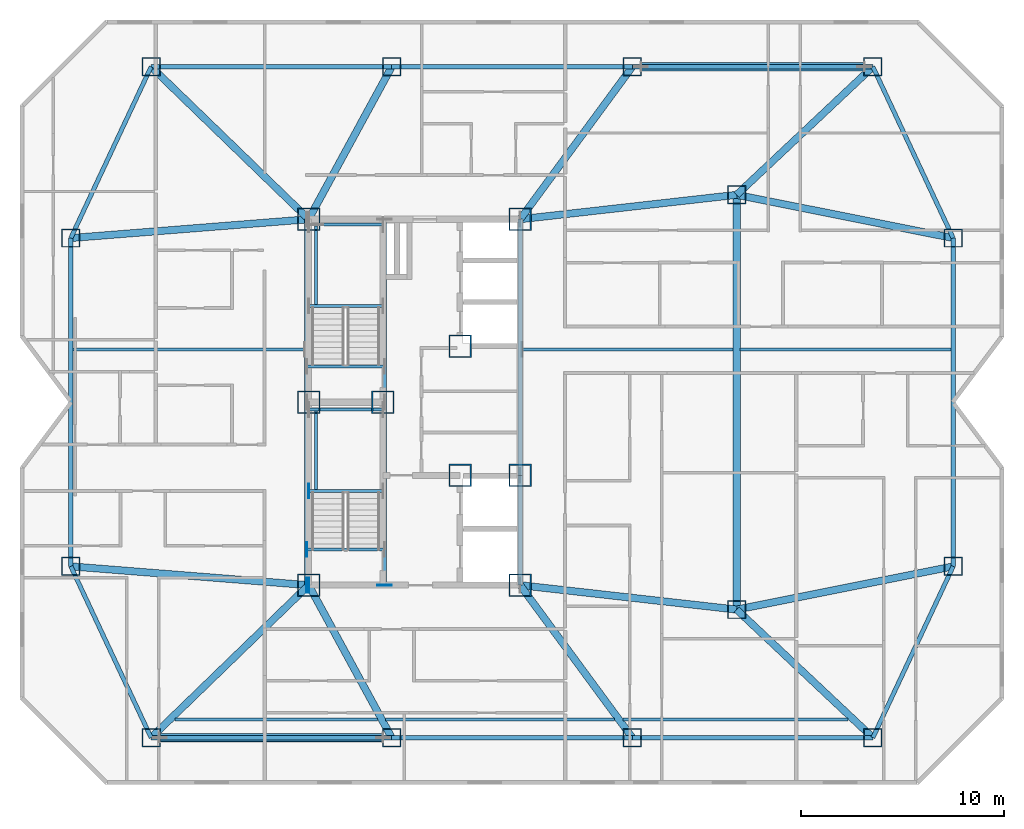
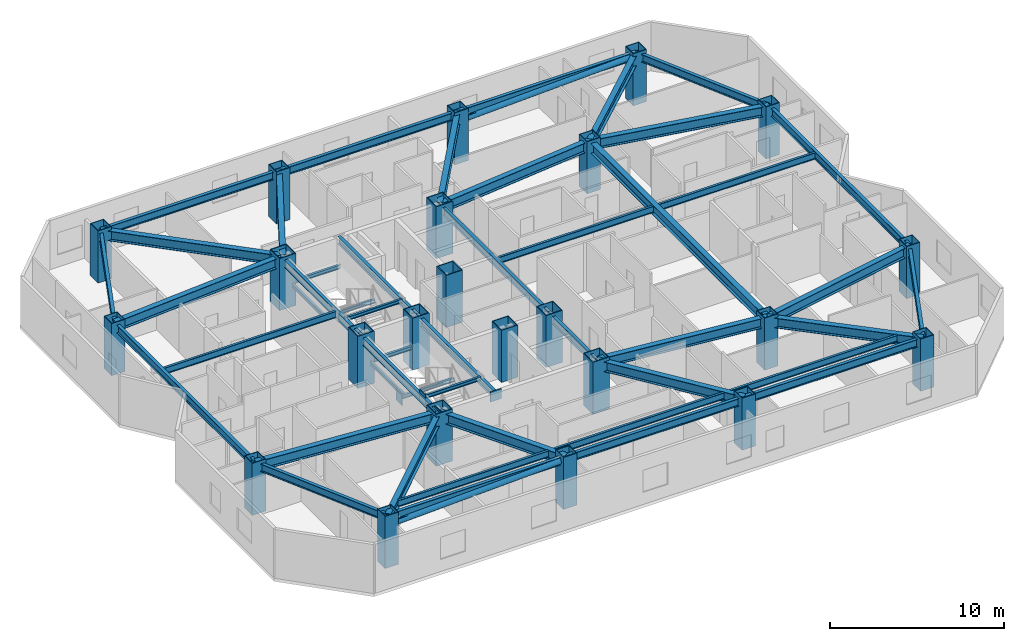
# One storey, part 1 of 11: 47 beams, 23 columns, 5 plates, 2 members.
"""IFC4 building model written with IfcOpenShell, lengths in metres."""

from ifc_helpers import new_model, si_unit, direction, frame, origin, origin_2d, place, context, subcontext, project, spatial, rectangle, hollow_rectangle, hollow_circle, i_section, extrude, material, layer, layer_set, material_profile, profile_set, type_object, element, save


model = new_model("IFC4")

# Units and contexts
model_context = context("Model", 3, precision=1e-05, world=origin(), true_north=direction((0.0, 1.0)))
body_context = subcontext(model_context, "Body", "Model", "MODEL_VIEW")
ifc_project = project(units=[si_unit("LENGTHUNIT", "METRE"), si_unit("AREAUNIT", "SQUARE_METRE"), si_unit("VOLUMEUNIT", "CUBIC_METRE"), si_unit("PLANEANGLEUNIT", "RADIAN"), si_unit("MASSUNIT", "GRAM", prefix="KILO")], contexts=[model_context])

# Site, building, storey
site_placement = place(None, origin())
site = spatial("IfcSite", under=ifc_project, at=site_placement, CompositionType="ELEMENT")
building_placement = place(site_placement, origin())
building = spatial("IfcBuilding", under=site, at=building_placement, Name="Khamvora Tower", CompositionType="ELEMENT")
storey_placement = place(building_placement, frame((0.0, 0.0, 174.14990234375)))
storey = spatial("IfcBuildingStorey", under=building, at=storey_placement, Name="L44", CompositionType="ELEMENT", Elevation=174.14990234375)

# Columns
ifc_material_1 = material(Name="Steel S460", Category="steel")
ifc_material_profile_1 = material_profile(ifc_material_1, hollow_rectangle(XDim=1.10009765625, YDim=1.10009765625, WallThickness=0.054931640625, at=origin_2d()), Name="BOX1100x1100x55")
ifc_profile_set_1 = profile_set([ifc_material_profile_1], Name="Steel S460")
column_type_1 = type_object("IfcColumnType", Name="COL-BOX1100", PredefinedType="COLUMN", material=ifc_profile_set_1)
for number, where, z_axis, x_axis, name in (
    (1, (29.0, 19.0, 0.0), (0.0, 0.0, 1.0), (1.0, 0.0, 0.0), "L44 plumb core spine column SC1"),
    (2, (32.64990234375, 28.0, 0.0), (0.0, 0.0, 1.0), (1.0, 0.0, 0.0), "L44 plumb core spine column SC2"),
    (3, (39.39990234375, 19.0, 0.0), (0.0, 0.0, 1.0), (1.0, 0.0, 0.0), "L44 plumb core spine column SC3"),
    (4, (29.0, 28.0, 0.0), (0.0, 0.0, 1.0), (1.0, 0.0, 0.0), "L44 plumb core spine column SC4"),
    (5, (36.449951171875, 24.39990234375, 0.0), (0.0, 0.0, 1.0), (1.0, 0.0, 0.0), "L44 plumb core spine column SC5"),
    (6, (39.39990234375, 24.39990234375, 0.0), (0.0, 0.0, 1.0), (1.0, 0.0, 0.0), "L44 plumb core spine column SC6"),
    (7, (29.0, 37.0, 0.0), (0.0, 0.0, 1.0), (1.0, 0.0, 0.0), "L44 plumb core spine column SC7"),
    (8, (36.449951171875, 30.75, 0.0), (0.0, 0.0, 1.0), (1.0, 0.0, 0.0), "L44 plumb core spine column SC8"),
    (9, (39.39990234375, 37.0, 0.0), (0.0, 0.0, 1.0), (1.0, 0.0, 0.0), "L44 plumb core spine column SC9"),
):
    element("IfcColumn", number, at=place(storey_placement, frame(where, z_axis=z_axis, x_axis=x_axis)), inside=storey, type_object=column_type_1, Name=name, PredefinedType="COLUMN", context=body_context, shape_type="SweptSolid", body=[
        extrude(hollow_rectangle(XDim=1.10009765625, YDim=1.10009765625, WallThickness=0.054931640625, at=origin_2d()), origin(), (0.0, 0.0, 1.0), 3.650146484375),
    ])
ifc_material_2 = material(Name="Steel S355", Category="steel")
ifc_material_profile_2 = material_profile(ifc_material_2, hollow_rectangle(XDim=0.89990234375, YDim=0.89990234375, WallThickness=0.044921875, at=origin_2d()), Name="BOX900x900x45")
ifc_profile_set_2 = profile_set([ifc_material_profile_2], Name="Steel S355")
column_type_2 = type_object("IfcColumnType", Name="COL-BOX900", PredefinedType="COLUMN", material=ifc_profile_set_2)
for number, where, z_axis, x_axis, name in (
    (10, (21.25, 11.5, 0.0), (0.0, 0.0, 1.0), (1.0, 0.0, 0.0), "L44 structural frame column S1"),
    (11, (33.0830078125, 11.5, 0.0), (0.0, 0.0, 1.0), (1.0, 0.0, 0.0), "L44 structural frame column S2"),
    (12, (44.9169921875, 11.5, 0.0), (0.0, 0.0, 1.0), (1.0, 0.0, 0.0), "L44 structural frame column S3"),
    (13, (56.75, 11.5, 0.0), (0.0, 0.0, 1.0), (1.0, 0.0, 0.0), "L44 structural frame column S4"),
    (14, (21.25, 44.5, 0.0), (0.0, 0.0, 1.0), (1.0, 0.0, 0.0), "L44 structural frame column N1"),
    (15, (33.0830078125, 44.5, 0.0), (0.0, 0.0, 1.0), (1.0, 0.0, 0.0), "L44 structural frame column N2"),
    (16, (44.9169921875, 44.5, 0.0), (0.0, 0.0, 1.0), (1.0, 0.0, 0.0), "L44 structural frame column N3"),
    (17, (56.75, 44.5, 0.0), (0.0, 0.0, 1.0), (1.0, 0.0, 0.0), "L44 structural frame column N4"),
    (18, (17.300048828125, 19.925048828125, 0.0), (0.0, 0.0, 1.0), (1.0, 0.0, 0.0), "L44 structural frame column W1"),
    (19, (17.300048828125, 36.074951171875, 0.0), (0.0, 0.0, 1.0), (1.0, 0.0, 0.0), "L44 structural frame column W2"),
    (20, (60.699951171875, 19.925048828125, 0.0), (0.0, 0.0, 1.0), (1.0, 0.0, 0.0), "L44 structural frame column E1"),
    (21, (60.699951171875, 36.074951171875, 0.0), (0.0, 0.0, 1.0), (1.0, 0.0, 0.0), "L44 structural frame column E2"),
    (22, (50.050048828125, 17.800048828125, 0.0), (0.0, 0.0, 1.0), (1.0, 0.0, 0.0), "L44 structural frame column M1"),
    (23, (50.050048828125, 38.199951171875, 0.0), (0.0, 0.0, 1.0), (1.0, 0.0, 0.0), "L44 structural frame column M2"),
):
    element("IfcColumn", number, at=place(storey_placement, frame(where, z_axis=z_axis, x_axis=x_axis)), inside=storey, type_object=column_type_2, Name=name, PredefinedType="COLUMN", context=body_context, shape_type="SweptSolid", body=[
        extrude(hollow_rectangle(XDim=0.89990234375, YDim=0.89990234375, WallThickness=0.044921875, at=origin_2d()), origin(), (0.0, 0.0, 1.0), 3.650146484375),
    ])

# Beams
ifc_material_profile_3 = material_profile(ifc_material_2, i_section(OverallWidth=0.154052734375, OverallDepth=0.458984375, WebThickness=0.009033203125, FlangeThickness=0.014892578125, FilletRadius=0.011962890625, at=origin_2d()), Name="W460x68")
ifc_profile_set_3 = profile_set([ifc_material_profile_3], Name="Steel S355")
beam_type_1 = type_object("IfcBeamType", Name="BM-JS-W460x68", PredefinedType="JOIST", material=ifc_profile_set_3)
beam_1_placement = place(storey_placement, frame((22.429931640625, 12.39990234375, 3.201171875), z_axis=(1.0, 0.0, 0.0), x_axis=(0.0, 1.0, 0.0)))
element("IfcBeam", 24, at=beam_1_placement, inside=storey, type_object=beam_type_1, Name="L44 secondary floor joist 01", PredefinedType="JOIST", context=body_context, shape_type="SweptSolid", body=[
    extrude(i_section(OverallWidth=0.154052734375, OverallDepth=0.458984375, WebThickness=0.009033203125, FlangeThickness=0.014892578125, FilletRadius=0.011962890625, at=origin_2d()), origin(), (0.0, 0.0, 1.0), 9.966064453125),
])
beam_2_placement = place(storey_placement, frame((32.7900390625, 12.39990234375, 3.201171875), z_axis=(1.0, 0.0, 0.0), x_axis=(0.0, 1.0, 0.0)))
element("IfcBeam", 25, at=beam_2_placement, inside=storey, type_object=beam_type_1, Name="L44 secondary floor joist 02", PredefinedType="JOIST", context=body_context, shape_type="SweptSolid", body=[
    extrude(i_section(OverallWidth=0.154052734375, OverallDepth=0.458984375, WebThickness=0.009033203125, FlangeThickness=0.014892578125, FilletRadius=0.011962890625, at=origin_2d()), origin(), (0.0, 0.0, 1.0), 11.25),
])
beam_3_placement = place(storey_placement, frame((44.469970703125, 12.39990234375, 3.201171875), z_axis=(1.0, 0.0, 0.0), x_axis=(0.0, 1.0, 0.0)))
element("IfcBeam", 26, at=beam_3_placement, inside=storey, type_object=beam_type_1, Name="L44 secondary floor joist 03", PredefinedType="JOIST", context=body_context, shape_type="SweptSolid", body=[
    extrude(i_section(OverallWidth=0.154052734375, OverallDepth=0.458984375, WebThickness=0.009033203125, FlangeThickness=0.014892578125, FilletRadius=0.011962890625, at=origin_2d()), origin(), (0.0, 0.0, 1.0), 11.069091796875),
])
beam_4_placement = place(storey_placement, frame((17.40087890625, 30.60009765625, 3.201171875), z_axis=(1.0, 0.0, 0.0), x_axis=(0.0, 1.0, 0.0)))
element("IfcBeam", 27, at=beam_4_placement, inside=storey, type_object=beam_type_1, Name="L44 secondary floor joist 04", PredefinedType="JOIST", context=body_context, shape_type="SweptSolid", body=[
    extrude(i_section(OverallWidth=0.154052734375, OverallDepth=0.458984375, WebThickness=0.009033203125, FlangeThickness=0.014892578125, FilletRadius=0.011962890625, at=origin_2d()), origin(), (0.0, 0.0, 1.0), 11.399169921875),
])
beam_5_placement = place(storey_placement, frame((39.4990234375, 30.60009765625, 3.201171875), z_axis=(1.0, 0.0, 0.0), x_axis=(0.0, 1.0, 0.0)))
element("IfcBeam", 28, at=beam_5_placement, inside=storey, type_object=beam_type_1, Name="L44 secondary floor joist 05", PredefinedType="JOIST", context=body_context, shape_type="SweptSolid", body=[
    extrude(i_section(OverallWidth=0.154052734375, OverallDepth=0.458984375, WebThickness=0.009033203125, FlangeThickness=0.014892578125, FilletRadius=0.011962890625, at=origin_2d()), origin(), (0.0, 0.0, 1.0), 10.3779296875),
])
beam_6_placement = place(storey_placement, frame((50.221923828125, 30.60009765625, 3.201171875), z_axis=(1.0, 0.0, 0.0), x_axis=(0.0, 1.0, 0.0)))
element("IfcBeam", 29, at=beam_6_placement, inside=storey, type_object=beam_type_1, Name="L44 secondary floor joist 06", PredefinedType="JOIST", context=body_context, shape_type="SweptSolid", body=[
    extrude(i_section(OverallWidth=0.154052734375, OverallDepth=0.458984375, WebThickness=0.009033203125, FlangeThickness=0.014892578125, FilletRadius=0.011962890625, at=origin_2d()), origin(), (0.0, 0.0, 1.0), 10.377197265625),
])
ifc_material_profile_4 = material_profile(ifc_material_2, i_section(OverallWidth=0.14697265625, OverallDepth=0.261962890625, WebThickness=0.007080078125, FlangeThickness=0.010986328125, FilletRadius=0.008056640625, at=origin_2d()), Name="W250x39")
ifc_profile_set_4 = profile_set([ifc_material_profile_4], Name="Steel S355")
beam_type_2 = type_object("IfcBeamType", Name="BM-LN-W250x39", PredefinedType="LINTEL", material=ifc_profile_set_4)
for number, where, z_axis, x_axis, name in (
    (30, (29.0, 23.635009765625, 1.494140625), (1.0, 0.0, 0.0), (0.0, 1.0, 0.0), "L44 ST-01 half-landing support beam 1.1"),
    (31, (29.0, 27.6298828125, 1.494140625), (1.0, 0.0, 0.0), (0.0, 1.0, 0.0), "L44 ST-01 half-landing support beam 1.2"),
):
    element("IfcBeam", number, at=place(storey_placement, frame(where, z_axis=z_axis, x_axis=x_axis)), inside=storey, type_object=beam_type_2, Name=name, PredefinedType="LINTEL", context=body_context, shape_type="SweptSolid", body=[
        extrude(i_section(OverallWidth=0.14697265625, OverallDepth=0.261962890625, WebThickness=0.007080078125, FlangeThickness=0.010986328125, FilletRadius=0.008056640625, at=origin_2d()), origin(), (0.0, 0.0, 1.0), 3.64990234375),
    ])
beam_7_placement = place(storey_placement, frame((29.35009765625, 23.635009765625, 1.494140625), z_axis=(0.0, 1.0, 0.0), x_axis=(-1.0, 0.0, 0.0)))
element("IfcBeam", 32, at=beam_7_placement, inside=storey, type_object=beam_type_2, Name="L44 ST-01 half-landing edge stringer 1", PredefinedType="LINTEL", context=body_context, shape_type="SweptSolid", body=[
    extrude(i_section(OverallWidth=0.14697265625, OverallDepth=0.261962890625, WebThickness=0.007080078125, FlangeThickness=0.010986328125, FilletRadius=0.008056640625, at=origin_2d()), origin(), (0.0, 0.0, 1.0), 3.994873046875),
])
for number, where, z_axis, x_axis, name in (
    (33, (29.0, 32.735107421875, 1.494140625), (1.0, 0.0, 0.0), (0.0, 1.0, 0.0), "L44 ST-02 half-landing support beam 1.1"),
    (34, (29.0, 36.72998046875, 1.494140625), (1.0, 0.0, 0.0), (0.0, 1.0, 0.0), "L44 ST-02 half-landing support beam 1.2"),
):
    element("IfcBeam", number, at=place(storey_placement, frame(where, z_axis=z_axis, x_axis=x_axis)), inside=storey, type_object=beam_type_2, Name=name, PredefinedType="LINTEL", context=body_context, shape_type="SweptSolid", body=[
        extrude(i_section(OverallWidth=0.14697265625, OverallDepth=0.261962890625, WebThickness=0.007080078125, FlangeThickness=0.010986328125, FilletRadius=0.008056640625, at=origin_2d()), origin(), (0.0, 0.0, 1.0), 3.64990234375),
    ])
beam_8_placement = place(storey_placement, frame((29.35009765625, 32.735107421875, 1.494140625), z_axis=(0.0, 1.0, 0.0), x_axis=(-1.0, 0.0, 0.0)))
element("IfcBeam", 35, at=beam_8_placement, inside=storey, type_object=beam_type_2, Name="L44 ST-02 half-landing edge stringer 1", PredefinedType="LINTEL", context=body_context, shape_type="SweptSolid", body=[
    extrude(i_section(OverallWidth=0.14697265625, OverallDepth=0.261962890625, WebThickness=0.007080078125, FlangeThickness=0.010986328125, FilletRadius=0.008056640625, at=origin_2d()), origin(), (0.0, 0.0, 1.0), 3.994873046875),
])
for number, where, z_axis, x_axis, name in (
    (36, (28.89990234375, 20.75, 3.30419921875), (1.0, 0.0, 0.0), (0.0, 1.0, 0.0), "L44 exit stair ST-01 landing trimmer beam"),
    (37, (28.89990234375, 29.75, 3.30419921875), (1.0, 0.0, 0.0), (0.0, 1.0, 0.0), "L44 exit stair ST-02 landing trimmer beam"),
):
    element("IfcBeam", number, at=place(storey_placement, frame(where, z_axis=z_axis, x_axis=x_axis)), inside=storey, type_object=beam_type_2, Name=name, PredefinedType="LINTEL", context=body_context, shape_type="SweptSolid", body=[
        extrude(i_section(OverallWidth=0.14697265625, OverallDepth=0.261962890625, WebThickness=0.007080078125, FlangeThickness=0.010986328125, FilletRadius=0.008056640625, at=origin_2d()), origin(), (0.0, 0.0, 1.0), 3.830078125),
    ])
ifc_material_profile_5 = material_profile(ifc_material_2, i_section(OverallWidth=0.35498046875, OverallDepth=0.695068359375, WebThickness=0.014892578125, FlangeThickness=0.02490234375, FilletRadius=0.01611328125, at=origin_2d()), Name="W690x217")
ifc_profile_set_5 = profile_set([ifc_material_profile_5], Name="Steel S355")
beam_type_3 = type_object("IfcBeamType", Name="BM-PG-W690x217", PredefinedType="BEAM", material=ifc_profile_set_5)
beam_9_placement = place(storey_placement, frame((50.050048828125, 17.800048828125, 3.0830078125), z_axis=(0.0, 1.0, 0.0), x_axis=(-1.0, 0.0, 0.0)))
element("IfcBeam", 38, at=beam_9_placement, inside=storey, type_object=beam_type_3, Name="L44 longitudinal frame girder M1-M2", PredefinedType="BEAM", context=body_context, shape_type="SweptSolid", body=[
    extrude(i_section(OverallWidth=0.35498046875, OverallDepth=0.695068359375, WebThickness=0.014892578125, FlangeThickness=0.02490234375, FilletRadius=0.01611328125, at=origin_2d()), origin(), (0.0, 0.0, 1.0), 20.39990234375),
])
beam_10_placement = place(storey_placement, frame((29.0, 19.0, 3.0830078125), z_axis=(-0.718602141767, -0.695421427516, 0.0), x_axis=(0.695421427516, -0.718602141767, 0.0)))
element("IfcBeam", 39, at=beam_10_placement, inside=storey, type_object=beam_type_3, Name="L44 primary floor girder S1", PredefinedType="BEAM", context=body_context, shape_type="SweptSolid", body=[
    extrude(i_section(OverallWidth=0.35498046875, OverallDepth=0.695068359375, WebThickness=0.014892578125, FlangeThickness=0.02490234375, FilletRadius=0.01611328125, at=origin_2d()), origin(), (0.0, 0.0, 1.0), 10.784912109375),
])
beam_11_placement = place(storey_placement, frame((29.0, 19.0, 3.0830078125), z_axis=(0.478138862063, -0.878284252725, 0.0), x_axis=(0.878284252725, 0.478138862063, 0.0)))
element("IfcBeam", 40, at=beam_11_placement, inside=storey, type_object=beam_type_3, Name="L44 primary floor girder S2", PredefinedType="BEAM", context=body_context, shape_type="SweptSolid", body=[
    extrude(i_section(OverallWidth=0.35498046875, OverallDepth=0.695068359375, WebThickness=0.014892578125, FlangeThickness=0.02490234375, FilletRadius=0.01611328125, at=origin_2d()), origin(), (0.0, 0.0, 1.0), 8.539306640625),
])
beam_12_placement = place(storey_placement, frame((39.39990234375, 19.0, 3.0830078125), z_axis=(0.592556630955, -0.805528794713, 0.0), x_axis=(0.805528794713, 0.592556630955, 0.0)))
element("IfcBeam", 41, at=beam_12_placement, inside=storey, type_object=beam_type_3, Name="L44 primary floor girder S3", PredefinedType="BEAM", context=body_context, shape_type="SweptSolid", body=[
    extrude(i_section(OverallWidth=0.35498046875, OverallDepth=0.695068359375, WebThickness=0.014892578125, FlangeThickness=0.02490234375, FilletRadius=0.01611328125, at=origin_2d()), origin(), (0.0, 0.0, 1.0), 9.310546875),
])
beam_13_placement = place(storey_placement, frame((50.050048828125, 17.800048828125, 3.0830078125), z_axis=(0.728513992294, -0.685030921224, 0.0), x_axis=(0.685030921224, 0.728513992294, 0.0)))
element("IfcBeam", 42, at=beam_13_placement, inside=storey, type_object=beam_type_3, Name="L44 primary floor girder S4", PredefinedType="BEAM", context=body_context, shape_type="SweptSolid", body=[
    extrude(i_section(OverallWidth=0.35498046875, OverallDepth=0.695068359375, WebThickness=0.014892578125, FlangeThickness=0.02490234375, FilletRadius=0.01611328125, at=origin_2d()), origin(), (0.0, 0.0, 1.0), 9.19677734375),
])
beam_14_placement = place(storey_placement, frame((29.0, 37.0, 3.0830078125), z_axis=(-0.718602141767, 0.695421427516, 0.0), x_axis=(-0.695421427516, -0.718602141767, 0.0)))
element("IfcBeam", 43, at=beam_14_placement, inside=storey, type_object=beam_type_3, Name="L44 primary floor girder N1", PredefinedType="BEAM", context=body_context, shape_type="SweptSolid", body=[
    extrude(i_section(OverallWidth=0.35498046875, OverallDepth=0.695068359375, WebThickness=0.014892578125, FlangeThickness=0.02490234375, FilletRadius=0.01611328125, at=origin_2d()), origin(), (0.0, 0.0, 1.0), 10.784912109375),
])
beam_15_placement = place(storey_placement, frame((29.0, 37.0, 3.0830078125), z_axis=(0.478138862063, 0.878284252725, 0.0), x_axis=(-0.878284252725, 0.478138862063, 0.0)))
element("IfcBeam", 44, at=beam_15_placement, inside=storey, type_object=beam_type_3, Name="L44 primary floor girder N2", PredefinedType="BEAM", context=body_context, shape_type="SweptSolid", body=[
    extrude(i_section(OverallWidth=0.35498046875, OverallDepth=0.695068359375, WebThickness=0.014892578125, FlangeThickness=0.02490234375, FilletRadius=0.01611328125, at=origin_2d()), origin(), (0.0, 0.0, 1.0), 8.539306640625),
])
beam_16_placement = place(storey_placement, frame((39.39990234375, 37.0, 3.0830078125), z_axis=(0.592556630955, 0.805528794713, 0.0), x_axis=(-0.805528794713, 0.592556630955, 0.0)))
element("IfcBeam", 45, at=beam_16_placement, inside=storey, type_object=beam_type_3, Name="L44 primary floor girder N3", PredefinedType="BEAM", context=body_context, shape_type="SweptSolid", body=[
    extrude(i_section(OverallWidth=0.35498046875, OverallDepth=0.695068359375, WebThickness=0.014892578125, FlangeThickness=0.02490234375, FilletRadius=0.01611328125, at=origin_2d()), origin(), (0.0, 0.0, 1.0), 9.310546875),
])
beam_17_placement = place(storey_placement, frame((50.050048828125, 38.199951171875, 3.0830078125), z_axis=(0.728513992294, 0.685030921224, 0.0), x_axis=(-0.685030921224, 0.728513992294, 0.0)))
element("IfcBeam", 46, at=beam_17_placement, inside=storey, type_object=beam_type_3, Name="L44 primary floor girder N4", PredefinedType="BEAM", context=body_context, shape_type="SweptSolid", body=[
    extrude(i_section(OverallWidth=0.35498046875, OverallDepth=0.695068359375, WebThickness=0.014892578125, FlangeThickness=0.02490234375, FilletRadius=0.01611328125, at=origin_2d()), origin(), (0.0, 0.0, 1.0), 9.19677734375),
])
for number, where, z_axis, x_axis, name in (
    (47, (29.0, 19.0, 3.0830078125), (-0.996888993668, 0.078818362728, 0.0), (-0.078818362728, -0.996888993668, 0.0), "L44 primary floor girder W1"),
    (48, (29.0, 37.0, 3.0830078125), (-0.996888993668, -0.078818362728, 0.0), (0.078818362728, -0.996888993668, 0.0), "L44 primary floor girder W2"),
):
    element("IfcBeam", number, at=place(storey_placement, frame(where, z_axis=z_axis, x_axis=x_axis)), inside=storey, type_object=beam_type_3, Name=name, PredefinedType="BEAM", context=body_context, shape_type="SweptSolid", body=[
        extrude(i_section(OverallWidth=0.35498046875, OverallDepth=0.695068359375, WebThickness=0.014892578125, FlangeThickness=0.02490234375, FilletRadius=0.01611328125, at=origin_2d()), origin(), (0.0, 0.0, 1.0), 11.736572265625),
    ])
for number, where, z_axis, x_axis, name in (
    (49, (50.050048828125, 17.800048828125, 3.0830078125), (0.980668771461, 0.195675140681, 0.0), (-0.195675140681, 0.980668771461, 0.0), "L44 primary floor girder E1"),
    (50, (50.050048828125, 38.199951171875, 3.0830078125), (0.980668771461, -0.195675140681, 0.0), (0.195675140681, 0.980668771461, 0.0), "L44 primary floor girder E2"),
):
    element("IfcBeam", number, at=place(storey_placement, frame(where, z_axis=z_axis, x_axis=x_axis)), inside=storey, type_object=beam_type_3, Name=name, PredefinedType="BEAM", context=body_context, shape_type="SweptSolid", body=[
        extrude(i_section(OverallWidth=0.35498046875, OverallDepth=0.695068359375, WebThickness=0.014892578125, FlangeThickness=0.02490234375, FilletRadius=0.01611328125, at=origin_2d()), origin(), (0.0, 0.0, 1.0), 10.85986328125),
    ])
for number, where, z_axis, x_axis, name in (
    (51, (39.39990234375, 19.0, 3.0830078125), (0.993712543569, -0.111961514606, 0.0), (0.111961514606, 0.993712543569, 0.0), "L44 primary floor girder M1"),
    (52, (39.39990234375, 37.0, 3.0830078125), (0.993712543569, 0.111961514606, 0.0), (-0.111961514606, 0.993712543569, 0.0), "L44 primary floor girder M2"),
):
    element("IfcBeam", number, at=place(storey_placement, frame(where, z_axis=z_axis, x_axis=x_axis)), inside=storey, type_object=beam_type_3, Name=name, PredefinedType="BEAM", context=body_context, shape_type="SweptSolid", body=[
        extrude(i_section(OverallWidth=0.35498046875, OverallDepth=0.695068359375, WebThickness=0.014892578125, FlangeThickness=0.02490234375, FilletRadius=0.01611328125, at=origin_2d()), origin(), (0.0, 0.0, 1.0), 10.717529296875),
    ])
ifc_material_profile_6 = material_profile(ifc_material_2, i_section(OverallWidth=0.2119140625, OverallDepth=0.5439453125, WebThickness=0.012939453125, FlangeThickness=0.02099609375, FilletRadius=0.013916015625, at=origin_2d()), Name="W530x123")
ifc_profile_set_6 = profile_set([ifc_material_profile_6], Name="Steel S355")
beam_type_4 = type_object("IfcBeamType", Name="BM-SP-W530x123", PredefinedType="SPANDREL", material=ifc_profile_set_6)
beam_18_placement = place(storey_placement, frame((17.300048828125, 19.925048828125, 3.158203125), z_axis=(0.424496391454, -0.905429629315, 0.0), x_axis=(0.905429629315, 0.424496391454, 0.0)))
element("IfcBeam", 53, at=beam_18_placement, inside=storey, type_object=beam_type_4, Name="L44 perimeter spandrel beam W1-S1", PredefinedType="SPANDREL", context=body_context, shape_type="SweptSolid", body=[
    extrude(i_section(OverallWidth=0.2119140625, OverallDepth=0.5439453125, WebThickness=0.012939453125, FlangeThickness=0.02099609375, FilletRadius=0.013916015625, at=origin_2d()), origin(), (0.0, 0.0, 1.0), 9.304931640625),
])
beam_19_placement = place(storey_placement, frame((21.25, 11.5, 3.158203125), z_axis=(1.0, 0.0, 0.0), x_axis=(0.0, 1.0, 0.0)))
element("IfcBeam", 54, at=beam_19_placement, inside=storey, type_object=beam_type_4, Name="L44 perimeter spandrel beam S1-S2", PredefinedType="SPANDREL", context=body_context, shape_type="SweptSolid", body=[
    extrude(i_section(OverallWidth=0.2119140625, OverallDepth=0.5439453125, WebThickness=0.012939453125, FlangeThickness=0.02099609375, FilletRadius=0.013916015625, at=origin_2d()), origin(), (0.0, 0.0, 1.0), 11.8330078125),
])
beam_20_placement = place(storey_placement, frame((33.0830078125, 11.5, 3.158203125), z_axis=(1.0, 0.0, 0.0), x_axis=(0.0, 1.0, 0.0)))
element("IfcBeam", 55, at=beam_20_placement, inside=storey, type_object=beam_type_4, Name="L44 perimeter spandrel beam S2-S3", PredefinedType="SPANDREL", context=body_context, shape_type="SweptSolid", body=[
    extrude(i_section(OverallWidth=0.2119140625, OverallDepth=0.5439453125, WebThickness=0.012939453125, FlangeThickness=0.02099609375, FilletRadius=0.013916015625, at=origin_2d()), origin(), (0.0, 0.0, 1.0), 11.833984375),
])
beam_21_placement = place(storey_placement, frame((44.9169921875, 11.5, 3.158203125), z_axis=(1.0, 0.0, 0.0), x_axis=(0.0, 1.0, 0.0)))
element("IfcBeam", 56, at=beam_21_placement, inside=storey, type_object=beam_type_4, Name="L44 perimeter spandrel beam S3-S4", PredefinedType="SPANDREL", context=body_context, shape_type="SweptSolid", body=[
    extrude(i_section(OverallWidth=0.2119140625, OverallDepth=0.5439453125, WebThickness=0.012939453125, FlangeThickness=0.02099609375, FilletRadius=0.013916015625, at=origin_2d()), origin(), (0.0, 0.0, 1.0), 11.8330078125),
])
beam_22_placement = place(storey_placement, frame((56.75, 11.5, 3.158203125), z_axis=(0.424496391454, 0.905429629315, 0.0), x_axis=(-0.905429629315, 0.424496391454, 0.0)))
element("IfcBeam", 57, at=beam_22_placement, inside=storey, type_object=beam_type_4, Name="L44 perimeter spandrel beam S4-E1", PredefinedType="SPANDREL", context=body_context, shape_type="SweptSolid", body=[
    extrude(i_section(OverallWidth=0.2119140625, OverallDepth=0.5439453125, WebThickness=0.012939453125, FlangeThickness=0.02099609375, FilletRadius=0.013916015625, at=origin_2d()), origin(), (0.0, 0.0, 1.0), 9.304931640625),
])
beam_23_placement = place(storey_placement, frame((60.699951171875, 19.925048828125, 3.158203125), z_axis=(0.0, 1.0, 0.0), x_axis=(-1.0, 0.0, 0.0)))
element("IfcBeam", 58, at=beam_23_placement, inside=storey, type_object=beam_type_4, Name="L44 perimeter spandrel beam E1-E2", PredefinedType="SPANDREL", context=body_context, shape_type="SweptSolid", body=[
    extrude(i_section(OverallWidth=0.2119140625, OverallDepth=0.5439453125, WebThickness=0.012939453125, FlangeThickness=0.02099609375, FilletRadius=0.013916015625, at=origin_2d()), origin(), (0.0, 0.0, 1.0), 16.14990234375),
])
beam_24_placement = place(storey_placement, frame((60.699951171875, 36.074951171875, 3.158203125), z_axis=(-0.424496391454, 0.905429629315, 0.0), x_axis=(-0.905429629315, -0.424496391454, 0.0)))
element("IfcBeam", 59, at=beam_24_placement, inside=storey, type_object=beam_type_4, Name="L44 perimeter spandrel beam E2-N4", PredefinedType="SPANDREL", context=body_context, shape_type="SweptSolid", body=[
    extrude(i_section(OverallWidth=0.2119140625, OverallDepth=0.5439453125, WebThickness=0.012939453125, FlangeThickness=0.02099609375, FilletRadius=0.013916015625, at=origin_2d()), origin(), (0.0, 0.0, 1.0), 9.304931640625),
])
beam_25_placement = place(storey_placement, frame((56.75, 44.5, 3.158203125), z_axis=(-1.0, 0.0, 0.0), x_axis=(0.0, -1.0, 0.0)))
element("IfcBeam", 60, at=beam_25_placement, inside=storey, type_object=beam_type_4, Name="L44 perimeter spandrel beam N4-N3", PredefinedType="SPANDREL", context=body_context, shape_type="SweptSolid", body=[
    extrude(i_section(OverallWidth=0.2119140625, OverallDepth=0.5439453125, WebThickness=0.012939453125, FlangeThickness=0.02099609375, FilletRadius=0.013916015625, at=origin_2d()), origin(), (0.0, 0.0, 1.0), 11.8330078125),
])
beam_26_placement = place(storey_placement, frame((44.9169921875, 44.5, 3.158203125), z_axis=(-1.0, 0.0, 0.0), x_axis=(0.0, -1.0, 0.0)))
element("IfcBeam", 61, at=beam_26_placement, inside=storey, type_object=beam_type_4, Name="L44 perimeter spandrel beam N3-N2", PredefinedType="SPANDREL", context=body_context, shape_type="SweptSolid", body=[
    extrude(i_section(OverallWidth=0.2119140625, OverallDepth=0.5439453125, WebThickness=0.012939453125, FlangeThickness=0.02099609375, FilletRadius=0.013916015625, at=origin_2d()), origin(), (0.0, 0.0, 1.0), 11.833984375),
])
beam_27_placement = place(storey_placement, frame((33.0830078125, 44.5, 3.158203125), z_axis=(-1.0, 0.0, 0.0), x_axis=(0.0, -1.0, 0.0)))
element("IfcBeam", 62, at=beam_27_placement, inside=storey, type_object=beam_type_4, Name="L44 perimeter spandrel beam N2-N1", PredefinedType="SPANDREL", context=body_context, shape_type="SweptSolid", body=[
    extrude(i_section(OverallWidth=0.2119140625, OverallDepth=0.5439453125, WebThickness=0.012939453125, FlangeThickness=0.02099609375, FilletRadius=0.013916015625, at=origin_2d()), origin(), (0.0, 0.0, 1.0), 11.8330078125),
])
beam_28_placement = place(storey_placement, frame((21.25, 44.5, 3.158203125), z_axis=(-0.424496391454, -0.905429629315, 0.0), x_axis=(0.905429629315, -0.424496391454, 0.0)))
element("IfcBeam", 63, at=beam_28_placement, inside=storey, type_object=beam_type_4, Name="L44 perimeter spandrel beam N1-W2", PredefinedType="SPANDREL", context=body_context, shape_type="SweptSolid", body=[
    extrude(i_section(OverallWidth=0.2119140625, OverallDepth=0.5439453125, WebThickness=0.012939453125, FlangeThickness=0.02099609375, FilletRadius=0.013916015625, at=origin_2d()), origin(), (0.0, 0.0, 1.0), 9.304931640625),
])
beam_29_placement = place(storey_placement, frame((17.300048828125, 36.074951171875, 3.158203125), z_axis=(0.0, -1.0, 0.0), x_axis=(1.0, 0.0, 0.0)))
element("IfcBeam", 64, at=beam_29_placement, inside=storey, type_object=beam_type_4, Name="L44 perimeter spandrel beam W2-W1", PredefinedType="SPANDREL", context=body_context, shape_type="SweptSolid", body=[
    extrude(i_section(OverallWidth=0.2119140625, OverallDepth=0.5439453125, WebThickness=0.012939453125, FlangeThickness=0.02099609375, FilletRadius=0.013916015625, at=origin_2d()), origin(), (0.0, 0.0, 1.0), 16.14990234375),
])
ifc_material_profile_7 = material_profile(ifc_material_2, i_section(OverallWidth=0.208984375, OverallDepth=0.532958984375, WebThickness=0.010009765625, FlangeThickness=0.01611328125, FilletRadius=0.013916015625, at=origin_2d()), Name="W530x92")
ifc_profile_set_7 = profile_set([ifc_material_profile_7], Name="Steel S355")
beam_type_5 = type_object("IfcBeamType", Name="BM-SP-W530x92", PredefinedType="SPANDREL", material=ifc_profile_set_7)
for number, where, z_axis, x_axis, name in (
    (65, (28.89990234375, 19.0, 3.1640625), (0.0, 1.0, 0.0), (-1.0, 0.0, 0.0), "L44 core spine girder WS"),
    (66, (28.89990234375, 28.0, 3.1640625), (0.0, 1.0, 0.0), (-1.0, 0.0, 0.0), "L44 core spine girder WN"),
    (67, (32.72998046875, 19.0, 3.1640625), (0.0, 1.0, 0.0), (-1.0, 0.0, 0.0), "L44 core spine girder M1S"),
    (68, (32.72998046875, 28.0, 3.1640625), (0.0, 1.0, 0.0), (-1.0, 0.0, 0.0), "L44 core spine girder M1N"),
):
    element("IfcBeam", number, at=place(storey_placement, frame(where, z_axis=z_axis, x_axis=x_axis)), inside=storey, type_object=beam_type_5, Name=name, PredefinedType="SPANDREL", context=body_context, shape_type="SweptSolid", body=[
        extrude(i_section(OverallWidth=0.208984375, OverallDepth=0.532958984375, WebThickness=0.010009765625, FlangeThickness=0.01611328125, FilletRadius=0.013916015625, at=origin_2d()), origin(), (0.0, 0.0, 1.0), 9.0),
    ])
beam_30_placement = place(storey_placement, frame((39.39990234375, 19.0, 3.1640625), z_axis=(0.0, 1.0, 0.0), x_axis=(-1.0, 0.0, 0.0)))
element("IfcBeam", 69, at=beam_30_placement, inside=storey, type_object=beam_type_5, Name="L44 core spine girder ES", PredefinedType="SPANDREL", context=body_context, shape_type="SweptSolid", body=[
    extrude(i_section(OverallWidth=0.208984375, OverallDepth=0.532958984375, WebThickness=0.010009765625, FlangeThickness=0.01611328125, FilletRadius=0.013916015625, at=origin_2d()), origin(), (0.0, 0.0, 1.0), 5.39990234375),
])
beam_31_placement = place(storey_placement, frame((39.39990234375, 24.39990234375, 3.1640625), z_axis=(0.0, 1.0, 0.0), x_axis=(-1.0, 0.0, 0.0)))
element("IfcBeam", 70, at=beam_31_placement, inside=storey, type_object=beam_type_5, Name="L44 core spine girder EN", PredefinedType="SPANDREL", context=body_context, shape_type="SweptSolid", body=[
    extrude(i_section(OverallWidth=0.208984375, OverallDepth=0.532958984375, WebThickness=0.010009765625, FlangeThickness=0.01611328125, FilletRadius=0.013916015625, at=origin_2d()), origin(), (0.0, 0.0, 1.0), 12.60009765625),
])

# Members
ifc_material_profile_8 = material_profile(ifc_material_2, hollow_circle(Radius=0.202880859375, WallThickness=0.01611328125, at=origin_2d()), Name="CHS406x16")
ifc_profile_set_8 = profile_set([ifc_material_profile_8], Name="Steel S355")
member_type = type_object("IfcMemberType", Name="MEM-BR-CHS406", PredefinedType="BRACE", material=ifc_profile_set_8)
for number, where, z_axis, x_axis, name in (
    (71, (21.679931640625, 11.5, 2.697998046875), (0.999174860809, 0.0, 0.040615237634), (0.0, 1.0, 0.0), "L44 perimeter wind brace 1"),
    (72, (45.346923828125, 44.5, 2.697998046875), (0.999174860809, 0.0, 0.040615237634), (0.0, 1.0, 0.0), "L44 perimeter wind brace 2"),
):
    element("IfcMember", number, at=place(storey_placement, frame(where, z_axis=z_axis, x_axis=x_axis)), inside=storey, type_object=member_type, Name=name, PredefinedType="BRACE", context=body_context, shape_type="SweptSolid", body=[
        extrude(hollow_circle(Radius=0.202880859375, WallThickness=0.01611328125, at=origin_2d()), origin(), (0.0, 0.0, 1.0), 10.982177734375),
    ])

# Plates
ifc_layer = layer(ifc_material_1, 0.034912109375)
ifc_layer_set = layer_set([ifc_layer], Name="Steel S460")
plate_type = type_object("IfcPlateType", Name="PL-EMB-35", PredefinedType="SHEET", material=ifc_layer_set)
for number, where, z_axis, x_axis, name in (
    (73, (29.0, 23.635009765625, 1.13427734375), (0.0, 0.0, 1.0), (1.0, 0.0, 0.0), "L44 core shear wall cast-in embed plate 1282"),
    (74, (29.0, 19.0, 2.72314453125), (0.0, 0.0, 1.0), (1.0, 0.0, 0.0), "L44 core shear wall cast-in embed plate 1291"),
    (75, (28.89990234375, 19.0, 2.80419921875), (0.0, 0.0, 1.0), (1.0, 0.0, 0.0), "L44 core shear wall cast-in embed plate 1295"),
):
    element("IfcPlate", number, at=place(storey_placement, frame(where, z_axis=z_axis, x_axis=x_axis)), inside=storey, type_object=plate_type, Name=name, PredefinedType="SHEET", context=body_context, shape_type="SweptSolid", body=[
        extrude(rectangle(XDim=0.034912109375, YDim=0.719970703125, at=origin_2d()), origin(), (0.0, 0.0, 1.0), 0.719970703125),
    ])
plate_1_placement = place(storey_placement, frame((32.72998046875, 19.0, 2.80419921875), z_axis=(0.0, 0.0, 1.0), x_axis=(1.0, 0.0, 0.0)))
element("IfcPlate", 76, at=plate_1_placement, inside=storey, type_object=plate_type, Name="L44 core shear wall cast-in embed plate 1298", PredefinedType="SHEET", context=body_context, shape_type="SweptSolid", body=[
    extrude(rectangle(XDim=0.719970703125, YDim=0.034912109375, at=origin_2d()), origin(), (0.0, 0.0, 1.0), 0.719970703125),
])
plate_2_placement = place(storey_placement, frame((28.89990234375, 20.75, 2.9443359375), z_axis=(0.0, 0.0, 1.0), x_axis=(1.0, 0.0, 0.0)))
element("IfcPlate", 77, at=plate_2_placement, inside=storey, type_object=plate_type, Name="L44 core shear wall cast-in embed plate 1304", PredefinedType="SHEET", context=body_context, shape_type="SweptSolid", body=[
    extrude(rectangle(XDim=0.034912109375, YDim=0.719970703125, at=origin_2d()), origin(), (0.0, 0.0, 1.0), 0.719970703125),
])

save(model, "model.ifc")
